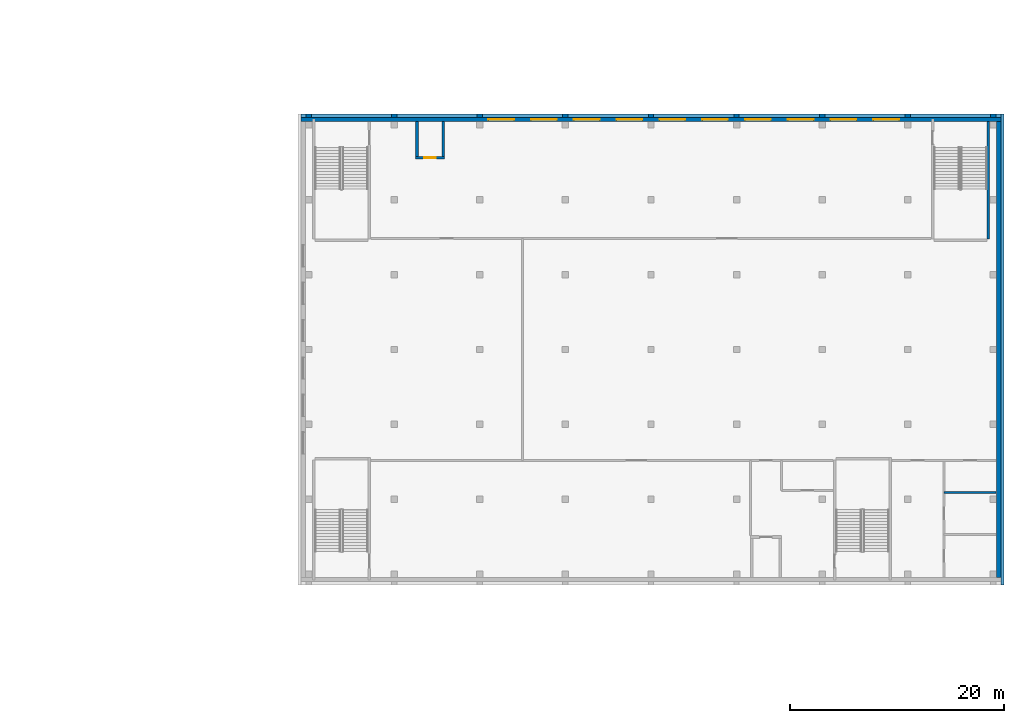
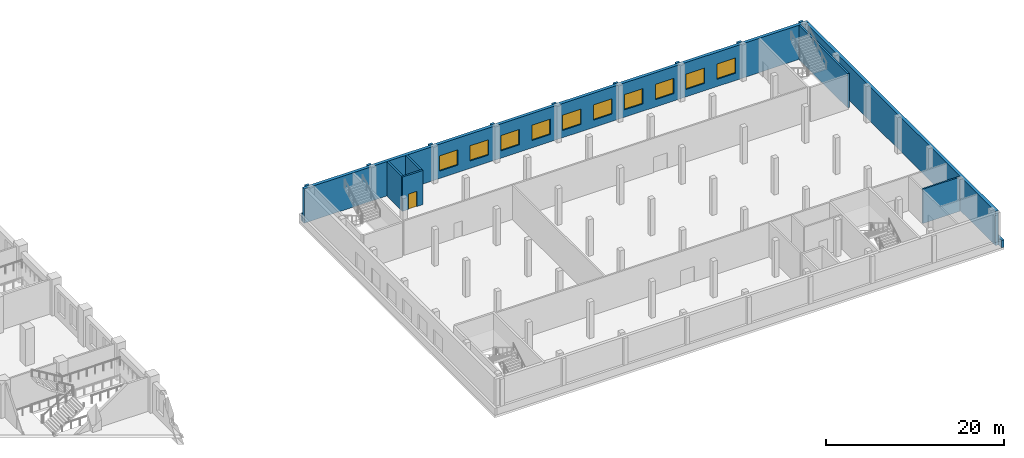
# One storey, part 12 of 32: 18 walls, 10 windows, 1 door, 11 openings.
"""IFC4 building model written with IfcOpenShell, lengths in metres."""

import ifcopenshell
import ifcopenshell.guid

model = None  # the IFC model being written
_history = None  # IfcOwnerHistory: only IFC2X3 demands one
_inside = {}  # id of a spatial element -> (the spatial element, [elements in it])
_under = {}  # id of a project, library or spatial element -> (it, [spatial elements below it])
_declared = {}  # id of a project -> (the project, [libraries it declares])
_typed = {}  # id of a type object -> (the type object, [elements of that type])
_made_of = {}  # id of a material, layer set ... -> (it, [elements and type objects made of it])


def new_model(schema):
    """Start an empty IFC model of exactly this schema.

    Asked for "IFC4X3", IfcOpenShell would pick the latest addendum, in which some entities
    have other attributes; the version numbers below select the first issue.
    IFC2X3 requires an IfcOwnerHistory on every rooted entity: one is made here for all.
    """
    global model, _history
    if schema == "IFC4X3":
        model = ifcopenshell.file(schema_version=(4, 3, 0, 0))
    else:
        model = ifcopenshell.file(schema=schema)
    _inside.clear()
    _under.clear()
    _declared.clear()
    _typed.clear()
    _made_of.clear()
    _history = None
    if model.schema == "IFC2X3":
        org = make("IfcOrganization", Name="unknown")
        user = make(
            "IfcPersonAndOrganization",
            ThePerson=make("IfcPerson", FamilyName="unknown"),
            TheOrganization=org,
        )
        app = make(
            "IfcApplication",
            ApplicationDeveloper=org,
            Version="unknown",
            ApplicationFullName="unknown",
            ApplicationIdentifier="unknown",
        )
        _history = make(
            "IfcOwnerHistory",
            OwningUser=user,
            OwningApplication=app,
            ChangeAction="ADDED",
            CreationDate=0,
        )
    return model


def make(cls, **values):
    """One entity of the class cls with the attributes given. An attribute that is None is left unset."""
    return model.create_entity(
        cls, **{name: value for name, value in values.items() if value is not None}
    )


def rooted(cls, **values):
    """An entity with a GlobalId (a new one), such as an element, a storey or a relation."""
    return make(cls, GlobalId=ifcopenshell.guid.new(), OwnerHistory=_history, **values)


def si_unit(unit_type, name, prefix=None):
    """IfcSIUnit, for example si_unit("LENGTHUNIT", "METRE", prefix="MILLI")."""
    return make("IfcSIUnit", UnitType=unit_type, Prefix=prefix, Name=name)


def assignment(units):
    """IfcUnitAssignment: the units of a project."""
    return None if units is None else make("IfcUnitAssignment", Units=units)


def point(xyz):
    """IfcCartesianPoint."""
    return None if xyz is None else make("IfcCartesianPoint", Coordinates=xyz)


def direction(xyz):
    """IfcDirection."""
    return None if xyz is None else make("IfcDirection", DirectionRatios=xyz)


def frame(location, z_axis=None, x_axis=None):
    """IfcAxis2Placement3D, a coordinate frame: its origin and axes. An axis left out is left unset."""
    return make(
        "IfcAxis2Placement3D",
        Location=point(location),
        Axis=direction(z_axis),
        RefDirection=direction(x_axis),
    )


def frame_2d(location, x_axis=None):
    """IfcAxis2Placement2D, a coordinate frame in the plane: its origin and x axis."""
    return make(
        "IfcAxis2Placement2D", Location=point(location), RefDirection=direction(x_axis)
    )


def origin():
    """The frame at (0, 0, 0) with its axes left unset."""
    return frame((0.0, 0.0, 0.0))


def place(relative_to, where):
    """IfcLocalPlacement: puts the frame where relative to a parent placement (None: the world)."""
    return make(
        "IfcLocalPlacement", PlacementRelTo=relative_to, RelativePlacement=where
    )


def context(
    kind, dimensions, precision=None, world=None, true_north=None, identifier=None
):
    """IfcGeometricRepresentationContext, for example the 3D "Model" context."""
    return make(
        "IfcGeometricRepresentationContext",
        ContextIdentifier=identifier,
        ContextType=kind,
        CoordinateSpaceDimension=dimensions,
        Precision=precision,
        WorldCoordinateSystem=world,
        TrueNorth=true_north,
    )


def subcontext(parent, identifier, kind, view, scale=None):
    """IfcGeometricRepresentationSubContext, for example "Body" below "Model"."""
    return make(
        "IfcGeometricRepresentationSubContext",
        ContextIdentifier=identifier,
        ContextType=kind,
        ParentContext=parent,
        TargetScale=scale,
        TargetView=view,
    )


def project(units=None, contexts=None):
    """IfcProject with its units and contexts."""
    return rooted(
        "IfcProject",
        Name="project",
        RepresentationContexts=contexts,
        UnitsInContext=assignment(units),
    )


def spatial(cls, under=None, at=None, **own):
    """A site, building, storey or space (cls), placed at a placement, below another one or the project."""
    s = rooted(cls, ObjectPlacement=at, **own)
    if under is not None:
        _under.setdefault(under.id(), (under, []))[1].append(s)
    return s


def profile(cls, at=None, kind="AREA", **sizes):
    """A parametric profile (cls). Its sizes go by their IFC names, for example OverallWidth=200.0."""
    return make(cls, ProfileType=kind, Position=at, **sizes)


def rectangle(**sizes):
    """IfcRectangleProfileDef."""
    return profile("IfcRectangleProfileDef", **sizes)


def extrude(swept, where, along, depth):
    """IfcExtrudedAreaSolid: the profile swept, set in the frame where, extruded along a direction by depth."""
    return make(
        "IfcExtrudedAreaSolid",
        SweptArea=swept,
        Position=where,
        ExtrudedDirection=direction(along),
        Depth=depth,
    )


def shape(context_of_items, identifier, shape_type, items):
    """IfcShapeRepresentation: the items that make up one representation, for example the "Body"."""
    return make(
        "IfcShapeRepresentation",
        ContextOfItems=context_of_items,
        RepresentationIdentifier=identifier,
        RepresentationType=shape_type,
        Items=items,
    )


def material(Name=None, Category=None):
    """IfcMaterial."""
    return make("IfcMaterial", Name=Name, Category=Category)


def layer(
    of_material, thickness, ventilated=None, Name=None, Category=None, Priority=None
):
    """IfcMaterialLayer: one layer of a wall or slab, of a material (None: an air gap)."""
    return make(
        "IfcMaterialLayer",
        Material=of_material,
        LayerThickness=thickness,
        IsVentilated=ventilated,
        Name=Name,
        Category=Category,
        Priority=Priority,
    )


def layer_set(layers, Name=None):
    """IfcMaterialLayerSet."""
    return make("IfcMaterialLayerSet", MaterialLayers=layers, LayerSetName=Name)


def made_of(thing, what):
    """Note that an element or type object is made of a material, layer set ...; save() writes the relation."""
    if what is not None:
        _made_of.setdefault(what.id(), (what, []))[1].append(thing)
    return thing


def type_object(cls, material=None, **own):
    """A type object (cls), such as IfcWallType, which elements share."""
    return made_of(rooted(cls, **own), material)


def element(
    cls,
    number,
    at=None,
    inside=None,
    cuts=None,
    type_object=None,
    material=None,
    context=None,
    identifier="Body",
    shape_type=None,
    held_by="IfcProductDefinitionShape",
    body=None,
    shapes=None,
    **own,
):
    """One element of the class cls, such as IfcWall. Its Tag is "e" and its number.

    at: its placement. inside: the storey or other place that contains it. cuts: it is an
    opening in that element (IfcRelVoidsElement). A single representation is given by context,
    identifier, shape_type and body (its items); several are given by shapes. held_by: the class
    of the entity that holds the representations. save() writes the other relations.
    """
    e = rooted(cls, Tag="e%d" % number, ObjectPlacement=at, **own)
    if body is not None:
        shapes = [shape(context, identifier, shape_type, body)]
    if shapes is not None:
        e.Representation = make(held_by, Representations=shapes)
    if inside is not None:
        _inside.setdefault(inside.id(), (inside, []))[1].append(e)
    if cuts is not None:
        rooted(
            "IfcRelVoidsElement", RelatingBuildingElement=cuts, RelatedOpeningElement=e
        )
    if type_object is not None:
        _typed.setdefault(type_object.id(), (type_object, []))[1].append(e)
    return made_of(e, material)


def fill(opening, filler):
    """IfcRelFillsElement: the door or window that sits in an opening."""
    return rooted(
        "IfcRelFillsElement",
        RelatingOpeningElement=opening,
        RelatedBuildingElement=filler,
    )


def aggregate(whole, parts):
    """IfcRelAggregates: a whole, such as a stair, and the parts it consists of."""
    return rooted("IfcRelAggregates", RelatingObject=whole, RelatedObjects=parts)


def save(model, path):
    """Write the relations noted so far, then the file.

    IfcRelAggregates (storeys below a building ...), IfcRelContainedInSpatialStructure (elements
    in a storey), IfcRelDefinesByType, IfcRelAssociatesMaterial and IfcRelDeclares: one each for
    every whole, place, type object, material and project.
    """
    for whole, parts in _under.values():
        aggregate(whole, parts)
    for where, things in _inside.values():
        rooted(
            "IfcRelContainedInSpatialStructure",
            RelatedElements=things,
            RelatingStructure=where,
        )
    for kind, things in _typed.values():
        rooted("IfcRelDefinesByType", RelatedObjects=things, RelatingType=kind)
    for what, things in _made_of.values():
        rooted("IfcRelAssociatesMaterial", RelatedObjects=things, RelatingMaterial=what)
    for by, libraries in _declared.values():
        rooted("IfcRelDeclares", RelatingContext=by, RelatedDefinitions=libraries)
    model.write(path)


model = new_model("IFC4")

# Units and contexts
model_context = context("Model", 3, precision=1e-05, world=origin(), true_north=direction((0.0, 1.0)))
body_context = subcontext(model_context, "Body", "Model", "MODEL_VIEW")
ifc_project = project(units=[si_unit("LENGTHUNIT", "METRE"), si_unit("AREAUNIT", "SQUARE_METRE"), si_unit("VOLUMEUNIT", "CUBIC_METRE"), si_unit("PLANEANGLEUNIT", "RADIAN"), si_unit("MASSUNIT", "GRAM", prefix="KILO")], contexts=[model_context])

# Site, building, storey
site_placement = place(None, origin())
site = spatial("IfcSite", under=ifc_project, at=site_placement, CompositionType="ELEMENT")
building_placement = place(site_placement, origin())
building = spatial("IfcBuilding", under=site, at=building_placement, Name="Tamorin Gate", CompositionType="ELEMENT")
storey_placement = place(building_placement, frame((0.0, 0.0, 18.5)))
storey = spatial("IfcBuildingStorey", under=building, at=storey_placement, Name="L03", CompositionType="ELEMENT", Elevation=18.5)

# Wall
ifc_material_1 = material(Name="Dense blockwork, plastered", Category="masonry")
ifc_layer_1 = layer(ifc_material_1, 0.199951171875)
ifc_layer_set_1 = layer_set([ifc_layer_1], Name="Blockwork partition 200")
wall_type_1 = type_object("IfcWallType", Name="Blockwork partition 200", PredefinedType="PARTITIONING", material=ifc_layer_set_1)
wall_1_placement = place(storey_placement, frame((205.10009765625, 63.330078125, 0.0), z_axis=(0.0, 0.0, 1.0), x_axis=(1.0, 0.0, 0.0)))
element("IfcWall", 1, at=wall_1_placement, inside=storey, type_object=wall_type_1, Name="Partition", PredefinedType="PARTITIONING", context=body_context, shape_type="SweptSolid", body=[
    extrude(rectangle(XDim=4.849853515625, YDim=0.199951171875, at=frame_2d((2.4248046875, 0.0))), origin(), (0.0, 0.0, 1.0), 4.699951171875),
])

# Wall, openings, windows
ifc_material_2 = material(Name="Concrete C40/50", Category="concrete")
ifc_layer_2 = layer(ifc_material_2, 0.39990234375)
ifc_layer_set_2 = layer_set([ifc_layer_2], Name="Board-marked concrete facade wall 400 C40/50")
wall_type_2 = type_object("IfcWallType", Name="Board-marked concrete facade wall 400 C40/50", PredefinedType="SOLIDWALL", material=ifc_layer_set_2)
wall_2_placement = place(storey_placement, frame((145.0, 98.199951171875, 0.0), z_axis=(0.0, 0.0, 1.0), x_axis=(1.0, 0.0, 0.0)))
wall_2 = element("IfcWall", 2, at=wall_2_placement, inside=storey, type_object=wall_type_2, Name="Facade wall", PredefinedType="SOLIDWALL", context=body_context, shape_type="SweptSolid", body=[
    extrude(rectangle(XDim=65.39990234375, YDim=0.39990234375, at=frame_2d((32.699951171875, 0.0))), origin(), (0.0, 0.0, 1.0), 4.699951171875),
])
opening_1_placement = place(wall_2_placement, frame((17.5, 0.0, 1.0)))
opening_1 = element("IfcOpeningElement", 3, at=opening_1_placement, cuts=wall_2, Name="Opening WNM1", PredefinedType="OPENING", context=body_context, shape_type="SweptSolid", body=[
    extrude(rectangle(XDim=2.39990234375, YDim=2.10009765625, at=frame_2d((1.199951171875, 1.050048828125))), frame((0.0, 0.2099609375, 0.0), z_axis=(0.0, -1.0, 0.0), x_axis=(1.0, 0.0, 0.0)), (0.0, 0.0, 1.0), 0.419921875),
])
opening_2_placement = place(wall_2_placement, frame((21.5, 0.0, 1.0)))
opening_2 = element("IfcOpeningElement", 4, at=opening_2_placement, cuts=wall_2, Name="Opening WNM1", PredefinedType="OPENING", context=body_context, shape_type="SweptSolid", body=[
    extrude(rectangle(XDim=2.39990234375, YDim=2.10009765625, at=frame_2d((1.199951171875, 1.050048828125))), frame((0.0, 0.2099609375, 0.0), z_axis=(0.0, -1.0, 0.0), x_axis=(1.0, 0.0, 0.0)), (0.0, 0.0, 1.0), 0.419921875),
])
opening_3_placement = place(wall_2_placement, frame((25.5, 0.0, 1.0)))
opening_3 = element("IfcOpeningElement", 5, at=opening_3_placement, cuts=wall_2, Name="Opening WNM1", PredefinedType="OPENING", context=body_context, shape_type="SweptSolid", body=[
    extrude(rectangle(XDim=2.39990234375, YDim=2.10009765625, at=frame_2d((1.199951171875, 1.050048828125))), frame((0.0, 0.2099609375, 0.0), z_axis=(0.0, -1.0, 0.0), x_axis=(1.0, 0.0, 0.0)), (0.0, 0.0, 1.0), 0.419921875),
])
opening_4_placement = place(wall_2_placement, frame((29.5, 0.0, 1.0)))
opening_4 = element("IfcOpeningElement", 6, at=opening_4_placement, cuts=wall_2, Name="Opening WNM1", PredefinedType="OPENING", context=body_context, shape_type="SweptSolid", body=[
    extrude(rectangle(XDim=2.39990234375, YDim=2.10009765625, at=frame_2d((1.199951171875, 1.050048828125))), frame((0.0, 0.2099609375, 0.0), z_axis=(0.0, -1.0, 0.0), x_axis=(1.0, 0.0, 0.0)), (0.0, 0.0, 1.0), 0.419921875),
])
opening_5_placement = place(wall_2_placement, frame((33.5, 0.0, 1.0)))
opening_5 = element("IfcOpeningElement", 7, at=opening_5_placement, cuts=wall_2, Name="Opening WNM1", PredefinedType="OPENING", context=body_context, shape_type="SweptSolid", body=[
    extrude(rectangle(XDim=2.39990234375, YDim=2.10009765625, at=frame_2d((1.199951171875, 1.050048828125))), frame((0.0, 0.2099609375, 0.0), z_axis=(0.0, -1.0, 0.0), x_axis=(1.0, 0.0, 0.0)), (0.0, 0.0, 1.0), 0.419921875),
])
opening_6_placement = place(wall_2_placement, frame((37.5, 0.0, 1.0)))
opening_6 = element("IfcOpeningElement", 8, at=opening_6_placement, cuts=wall_2, Name="Opening WNM1", PredefinedType="OPENING", context=body_context, shape_type="SweptSolid", body=[
    extrude(rectangle(XDim=2.39990234375, YDim=2.10009765625, at=frame_2d((1.199951171875, 1.050048828125))), frame((0.0, 0.2099609375, 0.0), z_axis=(0.0, -1.0, 0.0), x_axis=(1.0, 0.0, 0.0)), (0.0, 0.0, 1.0), 0.419921875),
])
opening_7_placement = place(wall_2_placement, frame((41.5, 0.0, 1.0)))
opening_7 = element("IfcOpeningElement", 9, at=opening_7_placement, cuts=wall_2, Name="Opening WNM1", PredefinedType="OPENING", context=body_context, shape_type="SweptSolid", body=[
    extrude(rectangle(XDim=2.39990234375, YDim=2.10009765625, at=frame_2d((1.199951171875, 1.050048828125))), frame((0.0, 0.2099609375, 0.0), z_axis=(0.0, -1.0, 0.0), x_axis=(1.0, 0.0, 0.0)), (0.0, 0.0, 1.0), 0.419921875),
])
opening_8_placement = place(wall_2_placement, frame((45.5, 0.0, 1.0)))
opening_8 = element("IfcOpeningElement", 10, at=opening_8_placement, cuts=wall_2, Name="Opening WNM1", PredefinedType="OPENING", context=body_context, shape_type="SweptSolid", body=[
    extrude(rectangle(XDim=2.39990234375, YDim=2.10009765625, at=frame_2d((1.199951171875, 1.050048828125))), frame((0.0, 0.2099609375, 0.0), z_axis=(0.0, -1.0, 0.0), x_axis=(1.0, 0.0, 0.0)), (0.0, 0.0, 1.0), 0.419921875),
])
opening_9_placement = place(wall_2_placement, frame((49.5, 0.0, 1.0)))
opening_9 = element("IfcOpeningElement", 11, at=opening_9_placement, cuts=wall_2, Name="Opening WNM1", PredefinedType="OPENING", context=body_context, shape_type="SweptSolid", body=[
    extrude(rectangle(XDim=2.39990234375, YDim=2.10009765625, at=frame_2d((1.199951171875, 1.050048828125))), frame((0.0, 0.2099609375, 0.0), z_axis=(0.0, -1.0, 0.0), x_axis=(1.0, 0.0, 0.0)), (0.0, 0.0, 1.0), 0.419921875),
])
opening_10_placement = place(wall_2_placement, frame((53.5, 0.0, 1.0)))
opening_10 = element("IfcOpeningElement", 12, at=opening_10_placement, cuts=wall_2, Name="Opening WNM1", PredefinedType="OPENING", context=body_context, shape_type="SweptSolid", body=[
    extrude(rectangle(XDim=2.39990234375, YDim=2.10009765625, at=frame_2d((1.199951171875, 1.050048828125))), frame((0.0, 0.2099609375, 0.0), z_axis=(0.0, -1.0, 0.0), x_axis=(1.0, 0.0, 0.0)), (0.0, 0.0, 1.0), 0.419921875),
])
ifc_material_3 = material(Name="Aluminium and glass", Category="aluminium")
window_type = type_object("IfcWindowType", Name="Deep-set window 2400x1500", PartitioningType="SINGLE_PANEL", PredefinedType="WINDOW", material=ifc_material_3)
window_1_placement = place(opening_1_placement, origin())
window_1 = element("IfcWindow", 13, at=window_1_placement, inside=storey, type_object=window_type, Name="Deep-set window", OverallHeight=2.10009765625, OverallWidth=2.39990234375, PartitioningType="SINGLE_PANEL", PredefinedType="WINDOW", context=body_context, shape_type="SweptSolid", body=[
    extrude(rectangle(XDim=2.39990234375, YDim=2.10009765625, at=frame_2d((1.199951171875, 1.050048828125))), frame((0.0, 0.030029296875, 0.0), z_axis=(0.0, -1.0, 0.0), x_axis=(1.0, 0.0, 0.0)), (0.0, 0.0, 1.0), 0.06005859375),
])
fill(opening_1, window_1)
window_2_placement = place(opening_2_placement, origin())
window_2 = element("IfcWindow", 14, at=window_2_placement, inside=storey, type_object=window_type, Name="Deep-set window", OverallHeight=2.10009765625, OverallWidth=2.39990234375, PartitioningType="SINGLE_PANEL", PredefinedType="WINDOW", context=body_context, shape_type="SweptSolid", body=[
    extrude(rectangle(XDim=2.39990234375, YDim=2.10009765625, at=frame_2d((1.199951171875, 1.050048828125))), frame((0.0, 0.030029296875, 0.0), z_axis=(0.0, -1.0, 0.0), x_axis=(1.0, 0.0, 0.0)), (0.0, 0.0, 1.0), 0.06005859375),
])
fill(opening_2, window_2)
window_3_placement = place(opening_3_placement, origin())
window_3 = element("IfcWindow", 15, at=window_3_placement, inside=storey, type_object=window_type, Name="Deep-set window", OverallHeight=2.10009765625, OverallWidth=2.39990234375, PartitioningType="SINGLE_PANEL", PredefinedType="WINDOW", context=body_context, shape_type="SweptSolid", body=[
    extrude(rectangle(XDim=2.39990234375, YDim=2.10009765625, at=frame_2d((1.199951171875, 1.050048828125))), frame((0.0, 0.030029296875, 0.0), z_axis=(0.0, -1.0, 0.0), x_axis=(1.0, 0.0, 0.0)), (0.0, 0.0, 1.0), 0.06005859375),
])
fill(opening_3, window_3)
window_4_placement = place(opening_4_placement, origin())
window_4 = element("IfcWindow", 16, at=window_4_placement, inside=storey, type_object=window_type, Name="Deep-set window", OverallHeight=2.10009765625, OverallWidth=2.39990234375, PartitioningType="SINGLE_PANEL", PredefinedType="WINDOW", context=body_context, shape_type="SweptSolid", body=[
    extrude(rectangle(XDim=2.39990234375, YDim=2.10009765625, at=frame_2d((1.199951171875, 1.050048828125))), frame((0.0, 0.030029296875, 0.0), z_axis=(0.0, -1.0, 0.0), x_axis=(1.0, 0.0, 0.0)), (0.0, 0.0, 1.0), 0.06005859375),
])
fill(opening_4, window_4)
window_5_placement = place(opening_5_placement, origin())
window_5 = element("IfcWindow", 17, at=window_5_placement, inside=storey, type_object=window_type, Name="Deep-set window", OverallHeight=2.10009765625, OverallWidth=2.39990234375, PartitioningType="SINGLE_PANEL", PredefinedType="WINDOW", context=body_context, shape_type="SweptSolid", body=[
    extrude(rectangle(XDim=2.39990234375, YDim=2.10009765625, at=frame_2d((1.199951171875, 1.050048828125))), frame((0.0, 0.030029296875, 0.0), z_axis=(0.0, -1.0, 0.0), x_axis=(1.0, 0.0, 0.0)), (0.0, 0.0, 1.0), 0.06005859375),
])
fill(opening_5, window_5)
window_6_placement = place(opening_6_placement, origin())
window_6 = element("IfcWindow", 18, at=window_6_placement, inside=storey, type_object=window_type, Name="Deep-set window", OverallHeight=2.10009765625, OverallWidth=2.39990234375, PartitioningType="SINGLE_PANEL", PredefinedType="WINDOW", context=body_context, shape_type="SweptSolid", body=[
    extrude(rectangle(XDim=2.39990234375, YDim=2.10009765625, at=frame_2d((1.199951171875, 1.050048828125))), frame((0.0, 0.030029296875, 0.0), z_axis=(0.0, -1.0, 0.0), x_axis=(1.0, 0.0, 0.0)), (0.0, 0.0, 1.0), 0.06005859375),
])
fill(opening_6, window_6)
window_7_placement = place(opening_7_placement, origin())
window_7 = element("IfcWindow", 19, at=window_7_placement, inside=storey, type_object=window_type, Name="Deep-set window", OverallHeight=2.10009765625, OverallWidth=2.39990234375, PartitioningType="SINGLE_PANEL", PredefinedType="WINDOW", context=body_context, shape_type="SweptSolid", body=[
    extrude(rectangle(XDim=2.39990234375, YDim=2.10009765625, at=frame_2d((1.199951171875, 1.050048828125))), frame((0.0, 0.030029296875, 0.0), z_axis=(0.0, -1.0, 0.0), x_axis=(1.0, 0.0, 0.0)), (0.0, 0.0, 1.0), 0.06005859375),
])
fill(opening_7, window_7)
window_8_placement = place(opening_8_placement, origin())
window_8 = element("IfcWindow", 20, at=window_8_placement, inside=storey, type_object=window_type, Name="Deep-set window", OverallHeight=2.10009765625, OverallWidth=2.39990234375, PartitioningType="SINGLE_PANEL", PredefinedType="WINDOW", context=body_context, shape_type="SweptSolid", body=[
    extrude(rectangle(XDim=2.39990234375, YDim=2.10009765625, at=frame_2d((1.199951171875, 1.050048828125))), frame((0.0, 0.030029296875, 0.0), z_axis=(0.0, -1.0, 0.0), x_axis=(1.0, 0.0, 0.0)), (0.0, 0.0, 1.0), 0.06005859375),
])
fill(opening_8, window_8)
window_9_placement = place(opening_9_placement, origin())
window_9 = element("IfcWindow", 21, at=window_9_placement, inside=storey, type_object=window_type, Name="Deep-set window", OverallHeight=2.10009765625, OverallWidth=2.39990234375, PartitioningType="SINGLE_PANEL", PredefinedType="WINDOW", context=body_context, shape_type="SweptSolid", body=[
    extrude(rectangle(XDim=2.39990234375, YDim=2.10009765625, at=frame_2d((1.199951171875, 1.050048828125))), frame((0.0, 0.030029296875, 0.0), z_axis=(0.0, -1.0, 0.0), x_axis=(1.0, 0.0, 0.0)), (0.0, 0.0, 1.0), 0.06005859375),
])
fill(opening_9, window_9)
window_10_placement = place(opening_10_placement, origin())
window_10 = element("IfcWindow", 22, at=window_10_placement, inside=storey, type_object=window_type, Name="Deep-set window", OverallHeight=2.10009765625, OverallWidth=2.39990234375, PartitioningType="SINGLE_PANEL", PredefinedType="WINDOW", context=body_context, shape_type="SweptSolid", body=[
    extrude(rectangle(XDim=2.39990234375, YDim=2.10009765625, at=frame_2d((1.199951171875, 1.050048828125))), frame((0.0, 0.030029296875, 0.0), z_axis=(0.0, -1.0, 0.0), x_axis=(1.0, 0.0, 0.0)), (0.0, 0.0, 1.0), 0.06005859375),
])
fill(opening_10, window_10)

# Walls
wall_3_placement = place(storey_placement, frame((210.199951171875, 55.39990234375, 0.0), z_axis=(0.0, 0.0, 1.0), x_axis=(0.0, 1.0, 0.0)))
element("IfcWall", 23, at=wall_3_placement, inside=storey, type_object=wall_type_2, Name="Facade wall", PredefinedType="SOLIDWALL", context=body_context, shape_type="SweptSolid", body=[
    extrude(rectangle(XDim=42.60009765625, YDim=0.39990234375, at=frame_2d((21.300048828125, 0.0))), origin(), (0.0, 0.0, 1.0), 4.699951171875),
])
ifc_layer_3 = layer(ifc_material_2, 0.25)
ifc_layer_set_3 = layer_set([ifc_layer_3], Name="Museum stair and lift enclosure wall 250 C40/50")
wall_type_3 = type_object("IfcWallType", Name="Museum stair and lift enclosure wall 250 C40/50", PredefinedType="SHEAR", material=ifc_layer_set_3)
wall_4_placement = place(storey_placement, frame((209.22509765625, 87.0400390625, 0.0), z_axis=(0.0, 0.0, 1.0), x_axis=(0.0, 1.0, 0.0)))
element("IfcWall", 24, at=wall_4_placement, inside=storey, type_object=wall_type_3, Name="Stair PS9 wall", PredefinedType="SHEAR", context=body_context, shape_type="SweptSolid", body=[
    extrude(rectangle(XDim=10.9599609375, YDim=0.25, at=frame_2d((5.47998046875, 0.0))), origin(), (0.0, 0.0, 1.0), 4.699951171875),
])

# Wall, opening, door
wall_5_placement = place(storey_placement, frame((155.699951171875, 94.625, 0.0), z_axis=(0.0, 0.0, 1.0), x_axis=(1.0, 0.0, 0.0)))
wall_5 = element("IfcWall", 25, at=wall_5_placement, inside=storey, type_object=wall_type_3, Name="Lift shaft LM1", PredefinedType="SHEAR", context=body_context, shape_type="SweptSolid", body=[
    extrude(rectangle(XDim=2.699951171875, YDim=0.25, at=frame_2d((1.35009765625, 0.0))), origin(), (0.0, 0.0, 1.0), 4.699951171875),
])
opening_11_placement = place(wall_5_placement, frame((0.800048828125, 0.0, 0.0)))
opening_11 = element("IfcOpeningElement", 26, at=opening_11_placement, cuts=wall_5, Name="Opening LD24", PredefinedType="OPENING", context=body_context, shape_type="SweptSolid", body=[
    extrude(rectangle(XDim=1.10009765625, YDim=2.10009765625, at=frame_2d((0.550048828125, 1.050048828125))), frame((0.0, 0.135009765625, 0.0), z_axis=(0.0, -1.0, 0.0), x_axis=(1.0, 0.0, 0.0)), (0.0, 0.0, 1.0), 0.27001953125),
])
ifc_material_4 = material(Name="Stainless steel", Category="steel")
door_type = type_object("IfcDoorType", Name="Museum lift landing door 1100x2100", OperationType="DOUBLE_DOOR_SLIDING", PredefinedType="DOOR", material=ifc_material_4)
door_placement = place(opening_11_placement, origin())
door = element("IfcDoor", 27, at=door_placement, inside=storey, type_object=door_type, Name="Lift landing door", OperationType="DOUBLE_DOOR_SLIDING", OverallHeight=2.10009765625, OverallWidth=1.10009765625, PredefinedType="DOOR", context=body_context, shape_type="SweptSolid", body=[
    extrude(rectangle(XDim=1.10009765625, YDim=2.10009765625, at=frame_2d((0.550048828125, 1.050048828125))), frame((0.0, 0.02490234375, 0.0), z_axis=(0.0, -1.0, 0.0), x_axis=(1.0, 0.0, 0.0)), (0.0, 0.0, 1.0), 0.050048828125),
])
fill(opening_11, door)

# Walls
for number, where, z_axis, x_axis, name in (
    (28, (155.824951171875, 94.75, 0.0), (0.0, 0.0, 1.0), (0.0, 1.0, 0.0), "Lift shaft LM1"),
    (29, (158.27490234375, 94.75, 0.0), (0.0, 0.0, 1.0), (0.0, 1.0, 0.0), "Lift shaft LM1"),
):
    element("IfcWall", number, at=place(storey_placement, frame(where, z_axis=z_axis, x_axis=x_axis)), inside=storey, type_object=wall_type_3, Name=name, PredefinedType="SHEAR", context=body_context, shape_type="SweptSolid", body=[
        extrude(rectangle(XDim=3.25, YDim=0.25, at=frame_2d((1.625, 0.0))), origin(), (0.0, 0.0, 1.0), 4.699951171875),
    ])
ifc_layer_4 = layer(ifc_material_2, 0.300048828125)
ifc_layer_set_4 = layer_set([ifc_layer_4], Name="Precast concrete band wall 300 C40/50")
wall_type_4 = type_object("IfcWallType", Name="Precast concrete band wall 300 C40/50", PredefinedType="STANDARD", material=ifc_layer_set_4)
wall_6_placement = place(storey_placement, frame((145.0, 98.550048828125, 0.0), z_axis=(0.0, 0.0, 1.0), x_axis=(1.0, 0.0, 0.0)))
element("IfcWall", 30, at=wall_6_placement, inside=storey, type_object=wall_type_4, Name="Precast band", PredefinedType="STANDARD", context=body_context, shape_type="SweptSolid", body=[
    extrude(rectangle(XDim=65.39990234375, YDim=0.300048828125, at=frame_2d((32.699951171875, 0.0))), origin(), (0.0, 0.0, 1.0), 1.0),
])
wall_7_placement = place(storey_placement, frame((210.550048828125, 54.699951171875, 0.0), z_axis=(0.0, 0.0, 1.0), x_axis=(0.0, 1.0, 0.0)))
element("IfcWall", 31, at=wall_7_placement, inside=storey, type_object=wall_type_4, Name="Precast band", PredefinedType="STANDARD", context=body_context, shape_type="SweptSolid", body=[
    extrude(rectangle(XDim=44.0, YDim=0.300048828125, at=frame_2d((22.0, 0.0))), origin(), (0.0, 0.0, 1.0), 1.0),
])
ifc_layer_5 = layer(ifc_material_2, 0.5)
ifc_layer_set_5 = layer_set([ifc_layer_5], Name="Precast rib wall 500 C40/50")
wall_type_5 = type_object("IfcWallType", Name="Precast rib wall 500 C40/50", PredefinedType="STANDARD", material=ifc_layer_set_5)
for number, where, z_axis, x_axis, name in (
    (32, (145.699951171875, 98.39990234375, 1.0), (0.0, 0.0, 1.0), (0.0, 1.0, 0.0), "Precast rib"),
    (33, (153.699951171875, 98.39990234375, 1.0), (0.0, 0.0, 1.0), (0.0, 1.0, 0.0), "Precast rib"),
    (34, (161.699951171875, 98.39990234375, 1.0), (0.0, 0.0, 1.0), (0.0, 1.0, 0.0), "Precast rib"),
    (35, (169.699951171875, 98.39990234375, 1.0), (0.0, 0.0, 1.0), (0.0, 1.0, 0.0), "Precast rib"),
    (36, (177.699951171875, 98.39990234375, 1.0), (0.0, 0.0, 1.0), (0.0, 1.0, 0.0), "Precast rib"),
    (37, (185.699951171875, 98.39990234375, 1.0), (0.0, 0.0, 1.0), (0.0, 1.0, 0.0), "Precast rib"),
    (38, (193.699951171875, 98.39990234375, 1.0), (0.0, 0.0, 1.0), (0.0, 1.0, 0.0), "Precast rib"),
    (39, (201.699951171875, 98.39990234375, 1.0), (0.0, 0.0, 1.0), (0.0, 1.0, 0.0), "Precast rib"),
    (40, (209.699951171875, 98.39990234375, 1.0), (0.0, 0.0, 1.0), (0.0, 1.0, 0.0), "Precast rib"),
):
    element("IfcWall", number, at=place(storey_placement, frame(where, z_axis=z_axis, x_axis=x_axis)), inside=storey, type_object=wall_type_5, Name=name, PredefinedType="STANDARD", context=body_context, shape_type="SweptSolid", body=[
        extrude(rectangle(XDim=0.300048828125, YDim=0.5, at=frame_2d((0.14990234375, 0.0))), origin(), (0.0, 0.0, 1.0), 3.699951171875),
    ])

save(model, "model.ifc")
